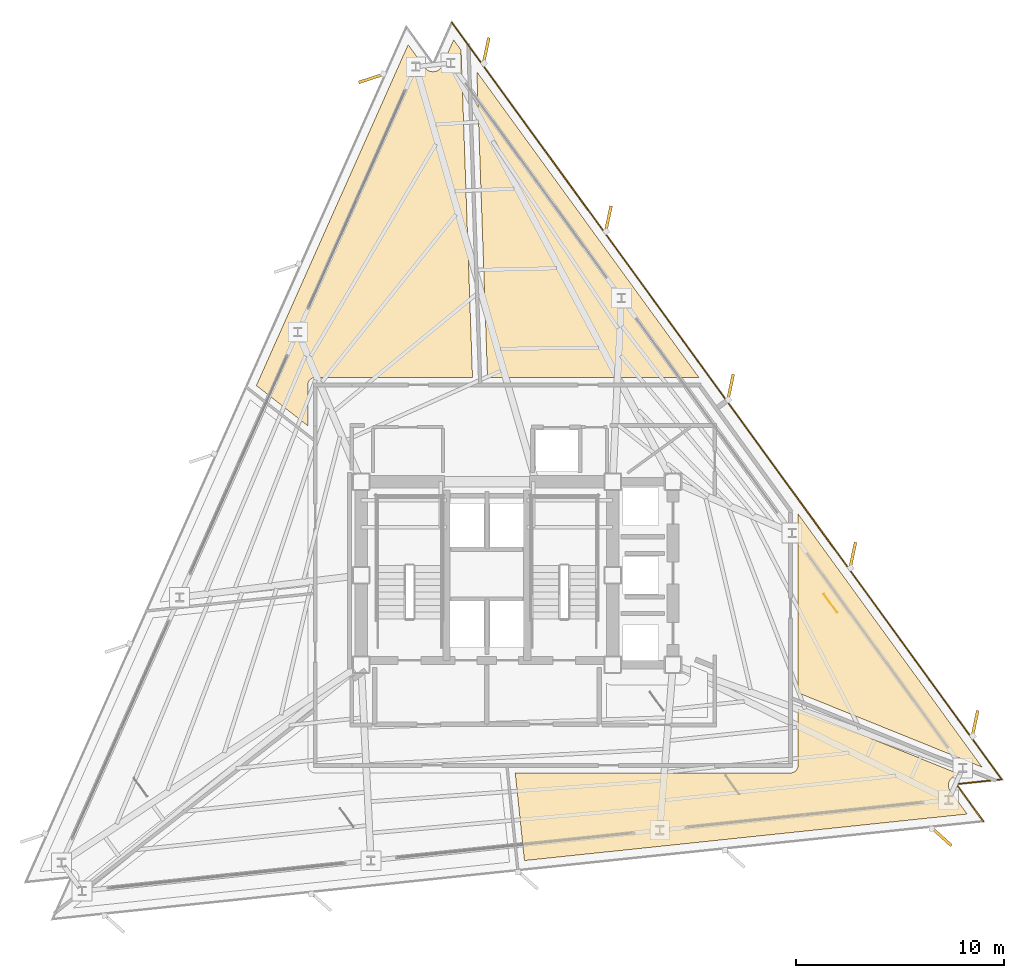
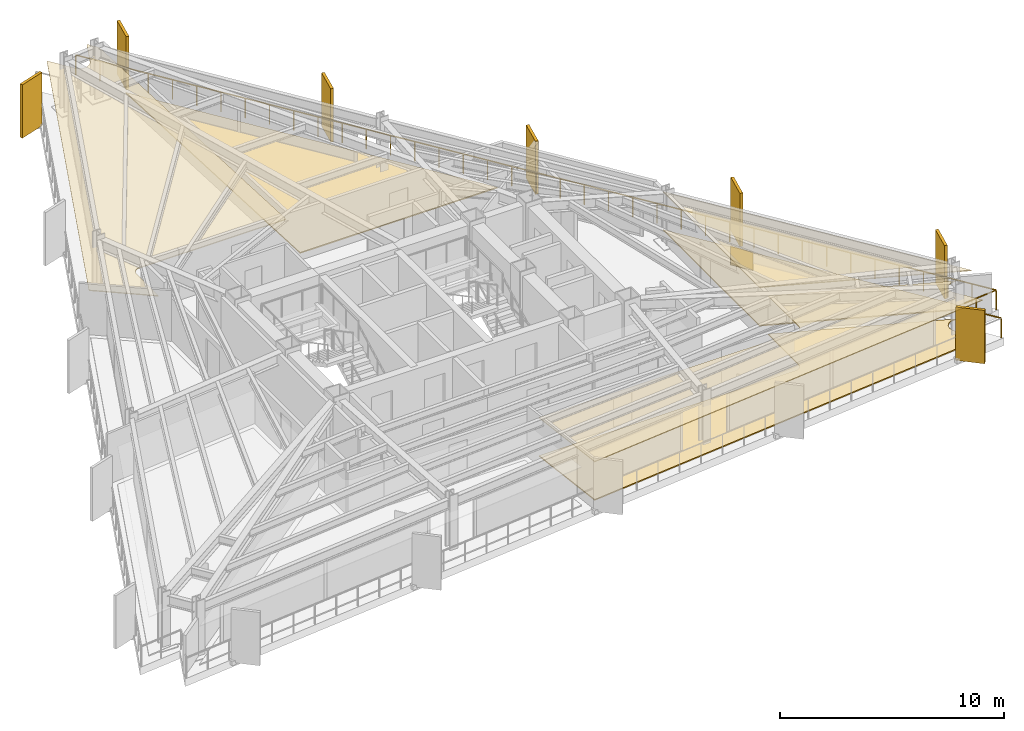
# One storey, part 12 of 12: 7 coverings, 7 shading devices, 1 railing.
"""IFC4 building model written with IfcOpenShell, lengths in metres."""

from ifc_helpers import new_model, si_unit, direction, frame, origin, origin_2d, place, context, subcontext, project, spatial, polyline, rectangle, outline, extrude, material, layer, layer_set, type_object, element, save


model = new_model("IFC4")

# Units and contexts
model_context = context("Model", 3, precision=1e-05, world=origin(), true_north=direction((0.0, 1.0)))
body_context = subcontext(model_context, "Body", "Model", "MODEL_VIEW")
ifc_project = project(units=[si_unit("LENGTHUNIT", "METRE"), si_unit("AREAUNIT", "SQUARE_METRE"), si_unit("VOLUMEUNIT", "CUBIC_METRE"), si_unit("PLANEANGLEUNIT", "RADIAN"), si_unit("MASSUNIT", "GRAM", prefix="KILO")], contexts=[model_context])

# Site, building, storey
site_placement = place(None, origin())
site = spatial("IfcSite", under=ifc_project, at=site_placement, CompositionType="ELEMENT")
building_placement = place(site_placement, origin())
building = spatial("IfcBuilding", under=site, at=building_placement, Name="Rocaltana Carrier Exchange", CompositionType="ELEMENT")
storey_placement = place(building_placement, frame((0.0, 0.0, 104.639892578125)))
storey = spatial("IfcBuildingStorey", under=building, at=storey_placement, Name="L32", CompositionType="ELEMENT", Elevation=104.639892578125)

# Coverings
ifc_material_1 = material(Name="Calcium Sulphate & Aluminium Pedestal", Category="aluminium")
ifc_layer_1 = layer(ifc_material_1, 0.06005859375)
ifc_layer_set_1 = layer_set([ifc_layer_1], Name="Calcium Sulphate & Aluminium Pedestal")
covering_type_1 = type_object("IfcCoveringType", Name="Anti-Static Raised Exchange Access Floor 60", PredefinedType="FLOORING", material=ifc_layer_set_1)
covering_1_placement = place(storey_placement, origin())
element("IfcCovering", 1, at=covering_1_placement, inside=storey, type_object=covering_type_1, Name="L32 Cloud Architecture Office Finish Floor", PredefinedType="FLOORING", context=body_context, shape_type="SweptSolid", body=[
    extrude(outline(polyline([(22.62939453125, -9.620361328125), (22.61572265625, -9.6220703125), (22.595947265625, -9.625244140625), (22.568603515625, -9.630859375), (22.54931640625, -9.635986328125), (22.522705078125, -9.644287109375), (22.50390625, -9.651123046875), (22.478271484375, -9.662109375), (22.46044921875, -9.6708984375), (22.43603515625, -9.684326171875), (22.4189453125, -9.69482421875), (22.39599609375, -9.710693359375), (22.380126953125, -9.722900390625), (22.35888671875, -9.74072265625), (22.344482421875, -9.75439453125), (22.324951171875, -9.774658203125), (22.311767578125, -9.78955078125), (22.294677734375, -9.8115234375), (22.282958984375, -9.82763671875), (22.26806640625, -9.851318359375), (22.258056640625, -9.86865234375), (22.24560546875, -9.8935546875), (22.2373046875, -9.91162109375), (22.227294921875, -9.937744140625), (22.220947265625, -9.956787109375), (22.213623046875, -9.983642578125), (22.209228515625, -10.0029296875), (22.20458984375, -10.030517578125), (22.2021484375, -10.05029296875), (22.2001953125, -10.078125), (22.19970703125, -10.09814453125), (22.20068359375, -10.1259765625), (22.202392578125, -10.14599609375), (22.205810546875, -10.173583984375), (22.20947265625, -10.193115234375), (22.2158203125, -10.220458984375), (22.22119140625, -10.239501953125), (22.230224609375, -10.26611328125), (22.23779296875, -10.284423828125), (22.249267578125, -10.309814453125), (22.258544921875, -10.32763671875), (22.272705078125, -10.351806640625), (22.283447265625, -10.368408203125), (22.29150390625, -10.3798828125), (23.095947265625, -11.487060546875), (1.804443359375, -13.724853515625), (1.361572265625, -9.510009765625), (14.60009765625, -9.510009765625), (14.61376953125, -9.509765625), (14.62158203125, -9.50927734375), (14.64892578125, -9.506591796875), (14.65673828125, -9.50537109375), (14.68359375, -9.5), (14.69140625, -9.498291015625), (14.717529296875, -9.490234375), (14.724853515625, -9.487548828125), (14.750244140625, -9.47705078125), (14.75732421875, -9.4736328125), (14.78173828125, -9.460693359375), (14.788330078125, -9.456787109375), (14.811279296875, -9.44140625), (14.8173828125, -9.436767578125), (14.8388671875, -9.419189453125), (14.844482421875, -9.4140625), (14.864013671875, -9.39453125), (14.869384765625, -9.388916015625), (14.88671875, -9.367431640625), (14.891357421875, -9.361083984375), (14.90673828125, -9.33837890625), (14.91064453125, -9.331787109375), (14.923583984375, -9.307373046875), (14.927001953125, -9.30029296875), (14.9375, -9.27490234375), (14.940185546875, -9.267578125), (14.9482421875, -9.2412109375), (14.9501953125, -9.233642578125), (14.955322265625, -9.206787109375), (14.95654296875, -9.198974609375), (14.959228515625, -9.171630859375), (14.959716796875, -9.163818359375), (14.9599609375, -9.14990234375), (14.9599609375, -6.4326171875), (22.8046875, -9.601806640625), (22.62939453125, -9.620361328125)])), origin(), (0.0, 0.0, 1.0), 0.06005859375),
])
covering_2_placement = place(storey_placement, origin())
element("IfcCovering", 2, at=covering_2_placement, inside=storey, type_object=covering_type_1, Name="L32 Peering Conference Room Finish Floor", PredefinedType="FLOORING", context=body_context, shape_type="SweptSolid", body=[
    extrude(outline(polyline([(14.9599609375, 2.952392578125), (23.813232421875, -9.23291015625), (14.9599609375, -5.656005859375), (14.9599609375, 2.952392578125)])), origin(), (0.0, 0.0, 1.0), 0.06005859375),
])
covering_3_placement = place(storey_placement, origin())
element("IfcCovering", 3, at=covering_3_placement, inside=storey, type_object=covering_type_1, Name="L32 Quiet Focus Lounge Finish Floor", PredefinedType="FLOORING", context=body_context, shape_type="SweptSolid", body=[
    extrude(outline(polyline([(10.19580078125, 9.510009765625), (0.028076171875, 9.510009765625), (-0.485107421875, 24.2109375), (10.19580078125, 9.510009765625)])), origin(), (0.0, 0.0, 1.0), 0.06005859375),
])
ifc_material_2 = material(Name="Mineral Fibre & Powder-Coated Aluminium", Category="aluminium")
ifc_layer_2 = layer(ifc_material_2, 0.044921875)
ifc_layer_set_2 = layer_set([ifc_layer_2], Name="Mineral Fibre & Powder-Coated Aluminium")
covering_type_2 = type_object("IfcCoveringType", Name="Micro-Perforated Acoustic Ceiling 45", PredefinedType="CEILING", material=ifc_layer_set_2)
covering_4_placement = place(storey_placement, frame((0.0, 0.0, 2.093017578125)))
element("IfcCovering", 4, at=covering_4_placement, inside=storey, type_object=covering_type_2, Name="L32 Cloud Architecture Office Acoustic Ceiling", PredefinedType="CEILING", context=body_context, shape_type="SweptSolid", body=[
    extrude(outline(polyline([(22.62939453125, -9.620361328125), (22.61572265625, -9.6220703125), (22.595947265625, -9.625244140625), (22.568603515625, -9.630859375), (22.54931640625, -9.635986328125), (22.522705078125, -9.644287109375), (22.50390625, -9.651123046875), (22.478271484375, -9.662109375), (22.46044921875, -9.6708984375), (22.43603515625, -9.684326171875), (22.4189453125, -9.69482421875), (22.39599609375, -9.710693359375), (22.380126953125, -9.722900390625), (22.35888671875, -9.74072265625), (22.344482421875, -9.75439453125), (22.324951171875, -9.774658203125), (22.311767578125, -9.78955078125), (22.294677734375, -9.8115234375), (22.282958984375, -9.82763671875), (22.26806640625, -9.851318359375), (22.258056640625, -9.86865234375), (22.24560546875, -9.8935546875), (22.2373046875, -9.91162109375), (22.227294921875, -9.937744140625), (22.220947265625, -9.956787109375), (22.213623046875, -9.983642578125), (22.209228515625, -10.0029296875), (22.20458984375, -10.030517578125), (22.2021484375, -10.05029296875), (22.2001953125, -10.078125), (22.19970703125, -10.09814453125), (22.20068359375, -10.1259765625), (22.202392578125, -10.14599609375), (22.205810546875, -10.173583984375), (22.20947265625, -10.193115234375), (22.2158203125, -10.220458984375), (22.22119140625, -10.239501953125), (22.230224609375, -10.26611328125), (22.23779296875, -10.284423828125), (22.249267578125, -10.309814453125), (22.258544921875, -10.32763671875), (22.272705078125, -10.351806640625), (22.283447265625, -10.368408203125), (22.29150390625, -10.3798828125), (23.095947265625, -11.487060546875), (1.804443359375, -13.724853515625), (1.361572265625, -9.510009765625), (14.60009765625, -9.510009765625), (14.61376953125, -9.509765625), (14.62158203125, -9.50927734375), (14.64892578125, -9.506591796875), (14.65673828125, -9.50537109375), (14.68359375, -9.5), (14.69140625, -9.498291015625), (14.717529296875, -9.490234375), (14.724853515625, -9.487548828125), (14.750244140625, -9.47705078125), (14.75732421875, -9.4736328125), (14.78173828125, -9.460693359375), (14.788330078125, -9.456787109375), (14.811279296875, -9.44140625), (14.8173828125, -9.436767578125), (14.8388671875, -9.419189453125), (14.844482421875, -9.4140625), (14.864013671875, -9.39453125), (14.869384765625, -9.388916015625), (14.88671875, -9.367431640625), (14.891357421875, -9.361083984375), (14.90673828125, -9.33837890625), (14.91064453125, -9.331787109375), (14.923583984375, -9.307373046875), (14.927001953125, -9.30029296875), (14.9375, -9.27490234375), (14.940185546875, -9.267578125), (14.9482421875, -9.2412109375), (14.9501953125, -9.233642578125), (14.955322265625, -9.206787109375), (14.95654296875, -9.198974609375), (14.959228515625, -9.171630859375), (14.959716796875, -9.163818359375), (14.9599609375, -9.14990234375), (14.9599609375, -6.4326171875), (22.8046875, -9.601806640625), (22.62939453125, -9.620361328125)])), origin(), (0.0, 0.0, 1.0), 0.045166015625),
])
covering_5_placement = place(storey_placement, frame((0.0, 0.0, 2.093017578125)))
element("IfcCovering", 5, at=covering_5_placement, inside=storey, type_object=covering_type_2, Name="L32 Peering Conference Room Acoustic Ceiling", PredefinedType="CEILING", context=body_context, shape_type="SweptSolid", body=[
    extrude(outline(polyline([(14.9599609375, 2.952392578125), (23.813232421875, -9.23291015625), (14.9599609375, -5.656005859375), (14.9599609375, 2.952392578125)])), origin(), (0.0, 0.0, 1.0), 0.045166015625),
])
covering_6_placement = place(storey_placement, frame((0.0, 0.0, 2.093017578125)))
element("IfcCovering", 6, at=covering_6_placement, inside=storey, type_object=covering_type_2, Name="L32 Cloud Architecture Office Acoustic Ceiling", PredefinedType="CEILING", context=body_context, shape_type="SweptSolid", body=[
    extrude(outline(polyline([(-3.787841796875, 25.51513671875), (-2.9833984375, 24.407958984375), (-2.974853515625, 24.39697265625), (-2.96240234375, 24.38134765625), (-2.943603515625, 24.360595703125), (-2.9296875, 24.34619140625), (-2.9091796875, 24.327392578125), (-2.893798828125, 24.314697265625), (-2.87158203125, 24.2978515625), (-2.85498046875, 24.286865234375), (-2.8310546875, 24.272216796875), (-2.8134765625, 24.262939453125), (-2.788330078125, 24.2509765625), (-2.77001953125, 24.243408203125), (-2.74365234375, 24.23388671875), (-2.724609375, 24.22802734375), (-2.697509765625, 24.22119140625), (-2.677978515625, 24.217529296875), (-2.650390625, 24.21337890625), (-2.630615234375, 24.211669921875), (-2.6025390625, 24.210205078125), (-2.58251953125, 24.21044921875), (-2.5546875, 24.2119140625), (-2.534912109375, 24.214111328125), (-2.50732421875, 24.21826171875), (-2.48779296875, 24.222412109375), (-2.460693359375, 24.2294921875), (-2.44189453125, 24.2353515625), (-2.41552734375, 24.2451171875), (-2.397216796875, 24.2529296875), (-2.372314453125, 24.26513671875), (-2.354736328125, 24.274658203125), (-2.3310546875, 24.289306640625), (-2.314697265625, 24.30078125), (-2.29248046875, 24.317626953125), (-2.277099609375, 24.33056640625), (-2.2568359375, 24.349609375), (-2.242919921875, 24.364013671875), (-2.224609375, 24.385009765625), (-2.212158203125, 24.400634765625), (-2.196044921875, 24.42333984375), (-2.185302734375, 24.440185546875), (-2.17138671875, 24.464599609375), (-2.16259765625, 24.482421875), (-2.156494140625, 24.494873046875), (-1.599853515625, 25.7451171875), (-1.2421875, 25.252685546875), (-0.6923828125, 9.510009765625), (-8.25, 9.510009765625), (-8.263671875, 9.509765625), (-8.271484375, 9.50927734375), (-8.298828125, 9.506591796875), (-8.306640625, 9.50537109375), (-8.33349609375, 9.5), (-8.34130859375, 9.498291015625), (-8.36767578125, 9.490234375), (-8.375, 9.487548828125), (-8.400390625, 9.47705078125), (-8.407470703125, 9.4736328125), (-8.431640625, 9.460693359375), (-8.4384765625, 9.456787109375), (-8.461181640625, 9.44140625), (-8.467529296875, 9.436767578125), (-8.48876953125, 9.419189453125), (-8.49462890625, 9.4140625), (-8.513916015625, 9.39453125), (-8.519287109375, 9.388916015625), (-8.53662109375, 9.367431640625), (-8.54150390625, 9.361083984375), (-8.556640625, 9.33837890625), (-8.560791015625, 9.331787109375), (-8.57373046875, 9.307373046875), (-8.576904296875, 9.30029296875), (-8.58740234375, 9.27490234375), (-8.590087890625, 9.267578125), (-8.59814453125, 9.2412109375), (-8.60009765625, 9.233642578125), (-8.60546875, 9.206787109375), (-8.606689453125, 9.198974609375), (-8.609375, 9.171630859375), (-8.609619140625, 9.163818359375), (-8.610107421875, 9.14990234375), (-8.610107421875, 7.18359375), (-11.087646484375, 9.119384765625), (-3.787841796875, 25.51513671875)])), origin(), (0.0, 0.0, 1.0), 0.045166015625),
])
ifc_material_3 = material(Name="Honed Piedra Muneca Sandstone", Category="masonry")
ifc_layer_3 = layer(ifc_material_3, 0.034912109375)
ifc_layer_set_3 = layer_set([ifc_layer_3], Name="Honed Piedra Muneca Sandstone")
covering_type_3 = type_object("IfcCoveringType", Name="Stone Facade Cladding 35", PredefinedType="CLADDING", material=ifc_layer_set_3)
covering_7_placement = place(storey_placement, frame((16.523681640625, -1.351806640625, 0.0), z_axis=(0.0, 0.0, 1.0), x_axis=(-0.587785252292, 0.809016994375, 0.0)))
element("IfcCovering", 7, at=covering_7_placement, inside=storey, type_object=covering_type_3, Name="L32 Stone Facade Cladding Panel 5", PredefinedType="CLADDING", context=body_context, shape_type="SweptSolid", body=[
    extrude(rectangle(XDim=1.10009765625, YDim=0.034912109375, at=origin_2d()), origin(), (0.0, 0.0, 1.0), 1.050048828125),
])

# Shading devices
ifc_material_4 = material(Name="Honed Bogota Sandstone & Concrete C45/55", Category="masonry")
ifc_layer_4 = layer(ifc_material_4, 0.139892578125)
ifc_layer_set_4 = layer_set([ifc_layer_4], Name="Honed Bogota Sandstone & Concrete C45/55")
shading_device_type = type_object("IfcShadingDeviceType", Name="Vertical Sandstone Shading Fin 1320x140", PredefinedType="USERDEFINED", material=ifc_layer_set_4)
for number, where, z_axis, x_axis, name in (
    (8, (23.46826171875, -7.15771484375, -0.11962890625), (0.0, 0.0, 1.0), (0.207911690818, 0.978147600734, 0.0), "L32 Sandstone Vertical Fin F1-01"),
    (9, (17.590576171875, 0.932373046875, -0.11962890625), (0.0, 0.0, 1.0), (0.207911690818, 0.978147600734, 0.0), "L32 Sandstone Vertical Fin F1-02"),
    (10, (11.712646484375, 9.0224609375, -0.11962890625), (0.0, 0.0, 1.0), (0.207911690818, 0.978147600734, 0.0), "L32 Sandstone Vertical Fin F1-03"),
    (11, (5.834716796875, 17.11279296875, -0.11962890625), (0.0, 0.0, 1.0), (0.207911690818, 0.978147600734, 0.0), "L32 Sandstone Vertical Fin F1-04"),
    (12, (-0.043212890625, 25.202880859375, -0.11962890625), (0.0, 0.0, 1.0), (0.207911690818, 0.978147600734, 0.0), "L32 Sandstone Vertical Fin F1-05"),
    (13, (-5.535400390625, 23.903076171875, -0.11962890625), (0.0, 0.0, 1.0), (-0.951056516295, -0.309016994375, 0.0), "L32 Sandstone Vertical Fin F2-01"),
    (14, (21.847900390625, -12.564208984375, -0.11962890625), (0.0, 0.0, 1.0), (0.743144825477, -0.669130606359, 0.0), "L32 Sandstone Vertical Fin F3-05"),
):
    element("IfcShadingDevice", number, at=place(storey_placement, frame(where, z_axis=z_axis, x_axis=x_axis)), inside=storey, type_object=shading_device_type, Name=name, ObjectType="FIN", PredefinedType="USERDEFINED", context=body_context, shape_type="SweptSolid", body=[
        extrude(rectangle(XDim=1.320068359375, YDim=0.139892578125, at=origin_2d()), origin(), (0.0, 0.0, 1.0), 2.907958984375),
    ])

# Railing
ifc_material_5 = material(Name="Powder-Coated Aluminium 6063-T6", Category="aluminium")
ifc_layer_5 = layer(ifc_material_5, 0.06005859375)
ifc_layer_set_5 = layer_set([ifc_layer_5], Name="Powder-Coated Aluminium 6063-T6")
railing_type = type_object("IfcRailingType", Name="Wind-Floor & Terrace Perimeter Guardrail 1100", PredefinedType="GUARDRAIL", material=ifc_layer_set_5)
railing_placement = place(storey_placement, frame((-1.687744140625, 26.58056640625, 0.0)))
element("IfcRailing", 15, at=railing_placement, inside=storey, type_object=railing_type, Name="L32 Perimeter Balcony Guardrail 3", PredefinedType="GUARDRAIL", context=body_context, shape_type="SweptSolid", body=[
    extrude(rectangle(XDim=0.048095703125, YDim=0.048095703125, at=origin_2d()), frame((0.0, 0.0, 1.076171875), z_axis=(0.587786393813, -0.809016165011, 0.0), x_axis=(0.809016165011, 0.587786393813, 0.0)), (0.0, 0.0, 1.0), 44.9921875),
    extrude(rectangle(XDim=0.048095703125, YDim=0.048095703125, at=origin_2d()), frame((26.44580078125, -36.3994140625, 1.076171875), z_axis=(-0.994521251134, -0.104534592565, 0.0), x_axis=(0.104534592565, -0.994521251134, 0.0)), (0.0, 0.0, 1.0), 2.199951171875),
    extrude(rectangle(XDim=0.048095703125, YDim=0.048095703125, at=origin_2d()), frame((24.2578125, -36.62939453125, 1.076171875), z_axis=(0.587821928992, -0.808990345923, 0.0), x_axis=(0.808990345923, 0.587821928992, 0.0)), (0.0, 0.0, 1.0), 2.199951171875),
    extrude(rectangle(XDim=0.0419921875, YDim=0.0419921875, at=origin_2d()), origin(), (0.0, 0.0, 1.0), 1.052001953125),
    extrude(rectangle(XDim=0.0419921875, YDim=0.0419921875, at=origin_2d()), frame((0.696044921875, -0.957763671875, 0.0)), (0.0, 0.0, 1.0), 1.052001953125),
    extrude(rectangle(XDim=0.0419921875, YDim=0.0419921875, at=origin_2d()), frame((1.391845703125, -1.915771484375, 0.0)), (0.0, 0.0, 1.0), 1.052001953125),
    extrude(rectangle(XDim=0.0419921875, YDim=0.0419921875, at=origin_2d()), frame((2.087890625, -2.87353515625, 0.0)), (0.0, 0.0, 1.0), 1.052001953125),
    extrude(rectangle(XDim=0.0419921875, YDim=0.0419921875, at=origin_2d()), frame((2.78369140625, -3.83154296875, 0.0)), (0.0, 0.0, 1.0), 1.052001953125),
    extrude(rectangle(XDim=0.0419921875, YDim=0.0419921875, at=origin_2d()), frame((3.479736328125, -4.789306640625, 0.0)), (0.0, 0.0, 1.0), 1.052001953125),
    extrude(rectangle(XDim=0.0419921875, YDim=0.0419921875, at=origin_2d()), frame((4.175537109375, -5.747314453125, 0.0)), (0.0, 0.0, 1.0), 1.052001953125),
    extrude(rectangle(XDim=0.0419921875, YDim=0.0419921875, at=origin_2d()), frame((4.87158203125, -6.705078125, 0.0)), (0.0, 0.0, 1.0), 1.052001953125),
    extrude(rectangle(XDim=0.0419921875, YDim=0.0419921875, at=origin_2d()), frame((5.567626953125, -7.6630859375, 0.0)), (0.0, 0.0, 1.0), 1.052001953125),
    extrude(rectangle(XDim=0.0419921875, YDim=0.0419921875, at=origin_2d()), frame((6.263427734375, -8.620849609375, 0.0)), (0.0, 0.0, 1.0), 1.052001953125),
    extrude(rectangle(XDim=0.0419921875, YDim=0.0419921875, at=origin_2d()), frame((6.95947265625, -9.578857421875, 0.0)), (0.0, 0.0, 1.0), 1.052001953125),
    extrude(rectangle(XDim=0.0419921875, YDim=0.0419921875, at=origin_2d()), frame((7.6552734375, -10.53662109375, 0.0)), (0.0, 0.0, 1.0), 1.052001953125),
    extrude(rectangle(XDim=0.0419921875, YDim=0.0419921875, at=origin_2d()), frame((8.351318359375, -11.49462890625, 0.0)), (0.0, 0.0, 1.0), 1.052001953125),
    extrude(rectangle(XDim=0.0419921875, YDim=0.0419921875, at=origin_2d()), frame((9.04736328125, -12.452392578125, 0.0)), (0.0, 0.0, 1.0), 1.052001953125),
    extrude(rectangle(XDim=0.0419921875, YDim=0.0419921875, at=origin_2d()), frame((9.7431640625, -13.410400390625, 0.0)), (0.0, 0.0, 1.0), 1.052001953125),
    extrude(rectangle(XDim=0.0419921875, YDim=0.0419921875, at=origin_2d()), frame((10.439208984375, -14.3681640625, 0.0)), (0.0, 0.0, 1.0), 1.052001953125),
    extrude(rectangle(XDim=0.0419921875, YDim=0.0419921875, at=origin_2d()), frame((11.135009765625, -15.326171875, 0.0)), (0.0, 0.0, 1.0), 1.052001953125),
    extrude(rectangle(XDim=0.0419921875, YDim=0.0419921875, at=origin_2d()), frame((11.8310546875, -16.283935546875, 0.0)), (0.0, 0.0, 1.0), 1.052001953125),
    extrude(rectangle(XDim=0.0419921875, YDim=0.0419921875, at=origin_2d()), frame((12.52685546875, -17.241943359375, 0.0)), (0.0, 0.0, 1.0), 1.052001953125),
    extrude(rectangle(XDim=0.0419921875, YDim=0.0419921875, at=origin_2d()), frame((13.222900390625, -18.19970703125, 0.0)), (0.0, 0.0, 1.0), 1.052001953125),
    extrude(rectangle(XDim=0.0419921875, YDim=0.0419921875, at=origin_2d()), frame((13.9189453125, -19.157470703125, 0.0)), (0.0, 0.0, 1.0), 1.052001953125),
    extrude(rectangle(XDim=0.0419921875, YDim=0.0419921875, at=origin_2d()), frame((14.61474609375, -20.115478515625, 0.0)), (0.0, 0.0, 1.0), 1.052001953125),
    extrude(rectangle(XDim=0.0419921875, YDim=0.0419921875, at=origin_2d()), frame((15.310791015625, -21.0732421875, 0.0)), (0.0, 0.0, 1.0), 1.052001953125),
    extrude(rectangle(XDim=0.0419921875, YDim=0.0419921875, at=origin_2d()), frame((16.006591796875, -22.03125, 0.0)), (0.0, 0.0, 1.0), 1.052001953125),
    extrude(rectangle(XDim=0.0419921875, YDim=0.0419921875, at=origin_2d()), frame((16.70263671875, -22.989013671875, 0.0)), (0.0, 0.0, 1.0), 1.052001953125),
    extrude(rectangle(XDim=0.0419921875, YDim=0.0419921875, at=origin_2d()), frame((17.3984375, -23.947021484375, 0.0)), (0.0, 0.0, 1.0), 1.052001953125),
    extrude(rectangle(XDim=0.0419921875, YDim=0.0419921875, at=origin_2d()), frame((18.094482421875, -24.90478515625, 0.0)), (0.0, 0.0, 1.0), 1.052001953125),
    extrude(rectangle(XDim=0.0419921875, YDim=0.0419921875, at=origin_2d()), frame((18.79052734375, -25.86279296875, 0.0)), (0.0, 0.0, 1.0), 1.052001953125),
    extrude(rectangle(XDim=0.0419921875, YDim=0.0419921875, at=origin_2d()), frame((19.486328125, -26.820556640625, 0.0)), (0.0, 0.0, 1.0), 1.052001953125),
    extrude(rectangle(XDim=0.0419921875, YDim=0.0419921875, at=origin_2d()), frame((20.182373046875, -27.778564453125, 0.0)), (0.0, 0.0, 1.0), 1.052001953125),
    extrude(rectangle(XDim=0.0419921875, YDim=0.0419921875, at=origin_2d()), frame((20.878173828125, -28.736328125, 0.0)), (0.0, 0.0, 1.0), 1.052001953125),
    extrude(rectangle(XDim=0.0419921875, YDim=0.0419921875, at=origin_2d()), frame((21.57421875, -29.6943359375, 0.0)), (0.0, 0.0, 1.0), 1.052001953125),
    extrude(rectangle(XDim=0.0419921875, YDim=0.0419921875, at=origin_2d()), frame((22.270263671875, -30.652099609375, 0.0)), (0.0, 0.0, 1.0), 1.052001953125),
    extrude(rectangle(XDim=0.0419921875, YDim=0.0419921875, at=origin_2d()), frame((22.966064453125, -31.610107421875, 0.0)), (0.0, 0.0, 1.0), 1.052001953125),
    extrude(rectangle(XDim=0.0419921875, YDim=0.0419921875, at=origin_2d()), frame((23.662109375, -32.56787109375, 0.0)), (0.0, 0.0, 1.0), 1.052001953125),
    extrude(rectangle(XDim=0.0419921875, YDim=0.0419921875, at=origin_2d()), frame((24.35791015625, -33.52587890625, 0.0)), (0.0, 0.0, 1.0), 1.052001953125),
    extrude(rectangle(XDim=0.0419921875, YDim=0.0419921875, at=origin_2d()), frame((25.053955078125, -34.483642578125, 0.0)), (0.0, 0.0, 1.0), 1.052001953125),
    extrude(rectangle(XDim=0.0419921875, YDim=0.0419921875, at=origin_2d()), frame((25.749755859375, -35.441650390625, 0.0)), (0.0, 0.0, 1.0), 1.052001953125),
    extrude(rectangle(XDim=0.0419921875, YDim=0.0419921875, at=origin_2d()), frame((26.44580078125, -36.3994140625, 0.0)), (0.0, 0.0, 1.0), 1.052001953125),
    extrude(rectangle(XDim=0.0419921875, YDim=0.0419921875, at=origin_2d()), frame((25.351806640625, -36.514404296875, 0.0)), (0.0, 0.0, 1.0), 1.052001953125),
    extrude(rectangle(XDim=0.0419921875, YDim=0.0419921875, at=origin_2d()), frame((24.2578125, -36.62939453125, 0.0)), (0.0, 0.0, 1.0), 1.052001953125),
    extrude(rectangle(XDim=0.0419921875, YDim=0.0419921875, at=origin_2d()), frame((24.904296875, -37.519287109375, 0.0)), (0.0, 0.0, 1.0), 1.052001953125),
    extrude(rectangle(XDim=0.0419921875, YDim=0.0419921875, at=origin_2d()), frame((25.551025390625, -38.4091796875, 0.0)), (0.0, 0.0, 1.0), 1.052001953125),
])

save(model, "model.ifc")
